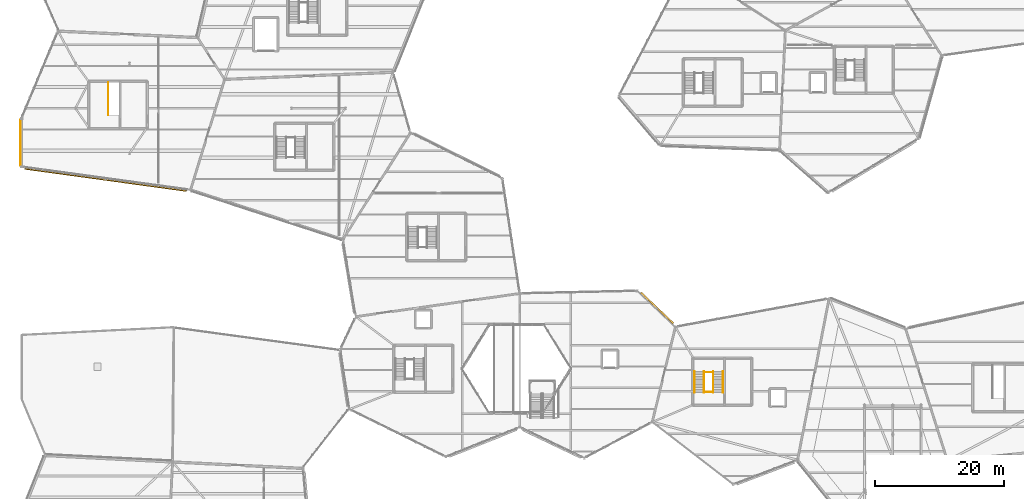
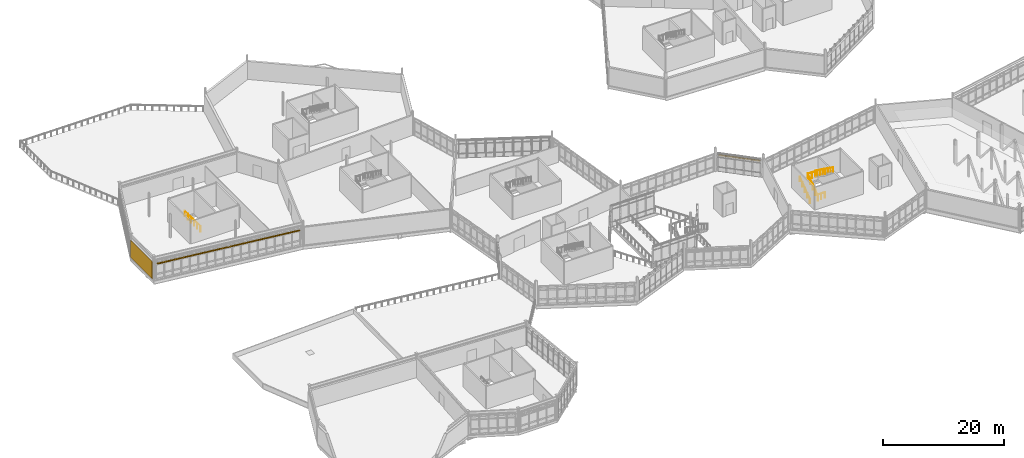
# One storey, part 111 of 114: 7 railings, 2 shading devices, 1 covering.
"""IFC4 building model written with IfcOpenShell, lengths in metres."""

from ifc_helpers import new_model, si_unit, direction, frame, frame_2d, origin, origin_2d, place, context, subcontext, project, spatial, rectangle, circle, extrude, material, layer, layer_set, type_object, element, save


model = new_model("IFC4")

# Units and contexts
model_context = context("Model", 3, precision=1e-05, world=origin(), true_north=direction((0.0, 1.0)))
body_context = subcontext(model_context, "Body", "Model", "MODEL_VIEW")
ifc_project = project(units=[si_unit("LENGTHUNIT", "METRE"), si_unit("AREAUNIT", "SQUARE_METRE"), si_unit("VOLUMEUNIT", "CUBIC_METRE"), si_unit("PLANEANGLEUNIT", "RADIAN"), si_unit("MASSUNIT", "GRAM", prefix="KILO")], contexts=[model_context])

# Site, building, storey
site_placement = place(None, origin())
site = spatial("IfcSite", under=ifc_project, at=site_placement, CompositionType="ELEMENT")
building_placement = place(site_placement, origin())
building = spatial("IfcBuilding", under=site, at=building_placement, Name="Tameran Prism Museum", CompositionType="ELEMENT")
storey_placement = place(building_placement, frame((0.0, 0.0, 10.199951171875)))
storey = spatial("IfcBuildingStorey", under=building, at=storey_placement, Name="L02", CompositionType="ELEMENT", Elevation=10.199951171875)

# Covering
ifc_material_1 = material(Name="White Fluted Mineral Precast GRC", Category="concrete")
ifc_layer_1 = layer(ifc_material_1, 0.044921875)
ifc_layer_set_1 = layer_set([ifc_layer_1])
covering_type = type_object("IfcCoveringType", Name="CV-FLUTE-WHT", PredefinedType="CLADDING", material=ifc_layer_set_1)
covering_placement = place(storey_placement, frame((-0.1650390625, 68.080078125, 0.050048828125), z_axis=(0.0, 0.0, 1.0), x_axis=(0.0, 1.0, 0.0)))
element("IfcCovering", 1, at=covering_placement, inside=storey, type_object=covering_type, Name="Vertical Fluted White Precast Panel CL-0047", PredefinedType="CLADDING", context=body_context, shape_type="SweptSolid", body=[
    extrude(rectangle(XDim=7.139892578125, YDim=0.044921875, at=frame_2d((3.56982421875, 0.0))), origin(), (0.0, 0.0, 1.0), 3.52001953125),
])

# Railings
ifc_material_2 = material(Name="Marine Stainless Steel 316", Category="steel")
ifc_layer_2 = layer(ifc_material_2, 0.054931640625)
ifc_layer_set_2 = layer_set([ifc_layer_2])
railing_type_1 = type_object("IfcRailingType", Name="RL-GR-1120", PredefinedType="GUARDRAIL", material=ifc_layer_set_2)
railing_1_placement = place(storey_placement, frame((106.18994140625, 32.89990234375, 0.0)))
element("IfcRailing", 2, at=railing_1_placement, inside=storey, type_object=railing_type_1, Name="Stair Well Slot Guard GR-S132", PredefinedType="GUARDRAIL", context=body_context, shape_type="SweptSolid", body=[
    extrude(circle(Radius=0.02392578125, at=origin_2d()), frame((0.0, 0.0, 1.1259765625), z_axis=(1.0, 0.0, 0.0), x_axis=(0.0, 1.0, 0.0)), (0.0, 0.0, 1.0), 1.3701171875),
    extrude(circle(Radius=0.02099609375, at=origin_2d()), origin(), (0.0, 0.0, 1.0), 1.101806640625),
    extrude(circle(Radius=0.02099609375, at=origin_2d()), frame((0.68505859375, 0.0, 0.0)), (0.0, 0.0, 1.0), 1.101806640625),
    extrude(circle(Radius=0.02099609375, at=origin_2d()), frame((1.3701171875, 0.0, 0.0)), (0.0, 0.0, 1.0), 1.101806640625),
])
railing_2_placement = place(storey_placement, frame((106.169921875, 32.780029296875, 0.0)))
element("IfcRailing", 3, at=railing_2_placement, inside=storey, type_object=railing_type_1, Name="Stair Well Guardrail GR-S133", PredefinedType="GUARDRAIL", context=body_context, shape_type="SweptSolid", body=[
    extrude(circle(Radius=0.02392578125, at=origin_2d()), frame((0.0, 0.0, 1.1259765625), z_axis=(0.0, 0.809980229442, 0.586457183359), x_axis=(-1.0, 0.0, 0.0)), (0.0, 0.0, 1.0), 4.092529296875),
    extrude(circle(Radius=0.02099609375, at=origin_2d()), origin(), (0.0, 0.0, 1.0), 1.101806640625),
    extrude(circle(Radius=0.02099609375, at=origin_2d()), frame((0.0, 0.82861328125, 0.60009765625)), (0.0, 0.0, 1.0), 1.101806640625),
    extrude(circle(Radius=0.02099609375, at=origin_2d()), frame((0.0, 1.657470703125, 1.2001953125)), (0.0, 0.0, 1.0), 1.101806640625),
    extrude(circle(Radius=0.02099609375, at=origin_2d()), frame((0.0, 2.486328125, 1.800048828125)), (0.0, 0.0, 1.0), 1.101806640625),
    extrude(circle(Radius=0.02099609375, at=origin_2d()), frame((0.0, 3.31494140625, 2.400146484375)), (0.0, 0.0, 1.0), 1.101806640625),
])
railing_3_placement = place(storey_placement, frame((107.580078125, 36.094970703125, 2.400146484375)))
element("IfcRailing", 4, at=railing_3_placement, inside=storey, type_object=railing_type_1, Name="Stair Well Guardrail GR-S134", PredefinedType="GUARDRAIL", context=body_context, shape_type="SweptSolid", body=[
    extrude(circle(Radius=0.02392578125, at=origin_2d()), frame((0.0, 0.0, 1.1259765625), z_axis=(0.0, -0.810008566192, 0.586418044312), x_axis=(1.0, 0.0, 0.0)), (0.0, 0.0, 1.0), 4.092529296875),
    extrude(circle(Radius=0.02099609375, at=origin_2d()), origin(), (0.0, 0.0, 1.0), 1.101806640625),
    extrude(circle(Radius=0.02099609375, at=origin_2d()), frame((0.0, -0.82861328125, 0.60009765625)), (0.0, 0.0, 1.0), 1.101806640625),
    extrude(circle(Radius=0.02099609375, at=origin_2d()), frame((0.0, -1.657470703125, 1.199951171875)), (0.0, 0.0, 1.0), 1.101806640625),
    extrude(circle(Radius=0.02099609375, at=origin_2d()), frame((0.0, -2.486328125, 1.7998046875)), (0.0, 0.0, 1.0), 1.101806640625),
    extrude(circle(Radius=0.02099609375, at=origin_2d()), frame((0.0, -3.31494140625, 2.39990234375)), (0.0, 0.0, 1.0), 1.101806640625),
])
railing_4_placement = place(storey_placement, frame((106.14990234375, 35.955078125, 2.400146484375)))
element("IfcRailing", 5, at=railing_4_placement, inside=storey, type_object=railing_type_1, Name="Landing Well Guardrail GR-S135", PredefinedType="GUARDRAIL", context=body_context, shape_type="SweptSolid", body=[
    extrude(circle(Radius=0.02392578125, at=origin_2d()), frame((0.0, 0.0, 1.1259765625), z_axis=(1.0, 0.0, 0.0), x_axis=(0.0, 1.0, 0.0)), (0.0, 0.0, 1.0), 1.4501953125),
    extrude(circle(Radius=0.02099609375, at=origin_2d()), origin(), (0.0, 0.0, 1.0), 1.101806640625),
    extrude(circle(Radius=0.02099609375, at=origin_2d()), frame((0.72509765625, 0.0, 0.0)), (0.0, 0.0, 1.0), 1.101806640625),
    extrude(circle(Radius=0.02099609375, at=origin_2d()), frame((1.4501953125, 0.0, 0.0)), (0.0, 0.0, 1.0), 1.101806640625),
])
railing_5_placement = place(storey_placement, frame((13.510009765625, 75.919921875, 0.0)))
element("IfcRailing", 6, at=railing_5_placement, inside=storey, type_object=railing_type_1, Name="Stair Well Slot Guard GR-S172", PredefinedType="GUARDRAIL", context=body_context, shape_type="SweptSolid", body=[
    extrude(circle(Radius=0.02392578125, at=origin_2d()), frame((0.0, 0.0, 1.1259765625), z_axis=(0.0, 1.0, 0.0), x_axis=(-1.0, 0.0, 0.0)), (0.0, 0.0, 1.0), 5.130126953125),
    extrude(circle(Radius=0.02099609375, at=origin_2d()), origin(), (0.0, 0.0, 1.0), 1.101806640625),
    extrude(circle(Radius=0.02099609375, at=origin_2d()), frame((0.0, 1.026123046875, 0.0)), (0.0, 0.0, 1.0), 1.101806640625),
    extrude(circle(Radius=0.02099609375, at=origin_2d()), frame((0.0, 2.052001953125, 0.0)), (0.0, 0.0, 1.0), 1.101806640625),
    extrude(circle(Radius=0.02099609375, at=origin_2d()), frame((0.0, 3.078125, 0.0)), (0.0, 0.0, 1.0), 1.101806640625),
    extrude(circle(Radius=0.02099609375, at=origin_2d()), frame((0.0, 4.10400390625, 0.0)), (0.0, 0.0, 1.0), 1.101806640625),
    extrude(circle(Radius=0.02099609375, at=origin_2d()), frame((0.0, 5.130126953125, 0.0)), (0.0, 0.0, 1.0), 1.101806640625),
])
ifc_material_3 = material(Name="Brushed Stainless Steel 316", Category="steel")
ifc_layer_3 = layer(ifc_material_3, 0.048095703125)
ifc_layer_set_3 = layer_set([ifc_layer_3])
railing_type_2 = type_object("IfcRailingType", Name="RL-HR-920", PredefinedType="HANDRAIL", material=ifc_layer_set_3)
railing_6_placement = place(storey_placement, frame((104.659912109375, 32.780029296875, 0.0)))
element("IfcRailing", 7, at=railing_6_placement, inside=storey, type_object=railing_type_2, Name="Stair Flight Handrail HR-067", PredefinedType="HANDRAIL", context=body_context, shape_type="SweptSolid", body=[
    extrude(circle(Radius=0.02392578125, at=origin_2d()), frame((0.0, 0.0, 0.89599609375), z_axis=(0.0, 0.809980229442, 0.586457183359), x_axis=(-1.0, 0.0, 0.0)), (0.0, 0.0, 1.0), 4.092529296875),
    extrude(circle(Radius=0.02099609375, at=origin_2d()), origin(), (0.0, 0.0, 1.0), 0.871826171875),
    extrude(circle(Radius=0.02099609375, at=origin_2d()), frame((0.0, 0.82861328125, 0.60009765625)), (0.0, 0.0, 1.0), 0.871826171875),
    extrude(circle(Radius=0.02099609375, at=origin_2d()), frame((0.0, 1.657470703125, 1.2001953125)), (0.0, 0.0, 1.0), 0.871826171875),
    extrude(circle(Radius=0.02099609375, at=origin_2d()), frame((0.0, 2.486328125, 1.800048828125)), (0.0, 0.0, 1.0), 0.871826171875),
    extrude(circle(Radius=0.02099609375, at=origin_2d()), frame((0.0, 3.31494140625, 2.400146484375)), (0.0, 0.0, 1.0), 0.871826171875),
])
railing_7_placement = place(storey_placement, frame((109.090087890625, 36.094970703125, 2.400146484375)))
element("IfcRailing", 8, at=railing_7_placement, inside=storey, type_object=railing_type_2, Name="Stair Flight Handrail HR-068", PredefinedType="HANDRAIL", context=body_context, shape_type="SweptSolid", body=[
    extrude(circle(Radius=0.02392578125, at=origin_2d()), frame((0.0, 0.0, 0.89599609375), z_axis=(0.0, -0.810008566192, 0.586418044312), x_axis=(1.0, 0.0, 0.0)), (0.0, 0.0, 1.0), 4.092529296875),
    extrude(circle(Radius=0.02099609375, at=origin_2d()), origin(), (0.0, 0.0, 1.0), 0.871826171875),
    extrude(circle(Radius=0.02099609375, at=origin_2d()), frame((0.0, -0.82861328125, 0.60009765625)), (0.0, 0.0, 1.0), 0.871826171875),
    extrude(circle(Radius=0.02099609375, at=origin_2d()), frame((0.0, -1.657470703125, 1.199951171875)), (0.0, 0.0, 1.0), 0.871826171875),
    extrude(circle(Radius=0.02099609375, at=origin_2d()), frame((0.0, -2.486328125, 1.7998046875)), (0.0, 0.0, 1.0), 0.871826171875),
    extrude(circle(Radius=0.02099609375, at=origin_2d()), frame((0.0, -3.31494140625, 2.39990234375)), (0.0, 0.0, 1.0), 0.871826171875),
])

# Shading devices
ifc_material_4 = material(Name="Anodised Aluminium Alloy 6063-T6", Category="aluminium")
ifc_layer_4 = layer(ifc_material_4, 0.044921875)
ifc_layer_set_4 = layer_set([ifc_layer_4])
shading_device_type_1 = type_object("IfcShadingDeviceType", Name="SH-JAL-240", PredefinedType="JALOUSIE", material=ifc_layer_set_4)
shading_device_1_placement = place(storey_placement, frame((98.85205078125, 45.950927734375, 3.14013671875), z_axis=(0.0, 0.0, 1.0), x_axis=(0.725374371012, -0.688354575694, 0.0)))
element("IfcShadingDevice", 9, at=shading_device_1_placement, inside=storey, type_object=shading_device_type_1, Name="Monsoon Storm Louvre SLV-046", PredefinedType="JALOUSIE", context=body_context, shape_type="SweptSolid", body=[
    extrude(rectangle(XDim=6.97509765625, YDim=0.260009765625, at=origin_2d()), origin(), (0.0, 0.0, 1.0), 0.06005859375),
])
ifc_material_5 = material(Name="Anodised Aluminium Alloy 6063-T6", Category="aluminium")
ifc_layer_5 = layer(ifc_material_5, 0.050048828125)
ifc_layer_set_5 = layer_set([ifc_layer_5])
shading_device_type_2 = type_object("IfcShadingDeviceType", Name="SH-LOUV-300", PredefinedType="SHUTTER", material=ifc_layer_set_5)
shading_device_2_placement = place(storey_placement, frame((13.095947265625, 65.926025390625, 3.14013671875), z_axis=(0.0, 0.0, 1.0), x_axis=(-0.990771512217, 0.135542652249, 0.0)))
element("IfcShadingDevice", 10, at=shading_device_2_placement, inside=storey, type_object=shading_device_type_2, Name="Monsoon Storm Louvre SLV-053", PredefinedType="SHUTTER", context=body_context, shape_type="SweptSolid", body=[
    extrude(rectangle(XDim=25.385986328125, YDim=0.260009765625, at=origin_2d()), origin(), (0.0, 0.0, 1.0), 0.06005859375),
])

save(model, "model.ifc")
